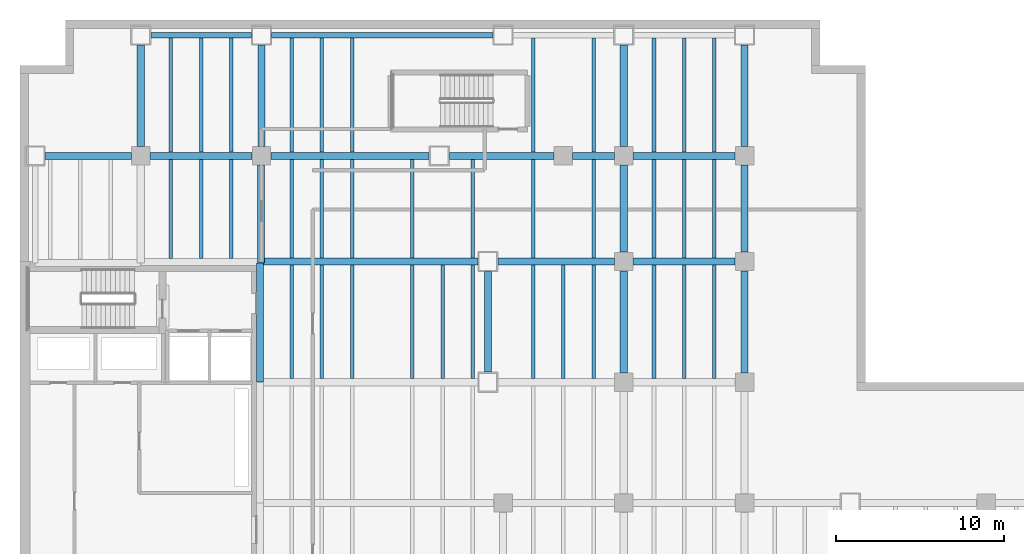
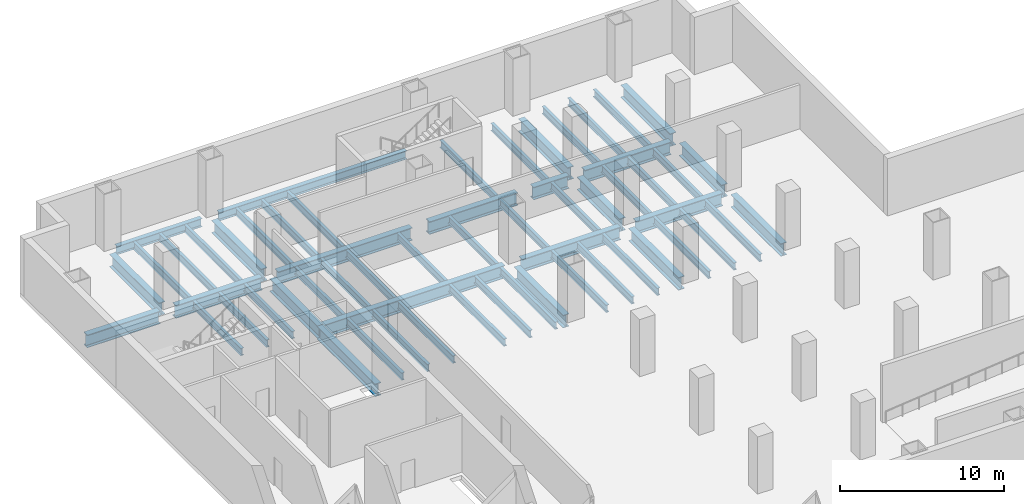
# One storey, part 3 of 11: 58 beams.
"""IFC4 building model written with IfcOpenShell, lengths in metres."""

from ifc_helpers import new_model, si_unit, direction, frame, origin, origin_2d, place, context, subcontext, project, spatial, i_section, extrude, material, material_profile, profile_set, type_object, element, save


model = new_model("IFC4")

# Units and contexts
model_context = context("Model", 3, precision=1e-05, world=origin(), true_north=direction((0.0, 1.0)))
body_context = subcontext(model_context, "Body", "Model", "MODEL_VIEW")
ifc_project = project(units=[si_unit("LENGTHUNIT", "METRE"), si_unit("AREAUNIT", "SQUARE_METRE"), si_unit("VOLUMEUNIT", "CUBIC_METRE"), si_unit("PLANEANGLEUNIT", "RADIAN"), si_unit("MASSUNIT", "GRAM", prefix="KILO")], contexts=[model_context])

# Site, building, storey
site_placement = place(None, origin())
site = spatial("IfcSite", under=ifc_project, at=site_placement, CompositionType="ELEMENT")
building_placement = place(site_placement, origin())
building = spatial("IfcBuilding", under=site, at=building_placement, Name="Cobrela Telecom Tower", CompositionType="ELEMENT")
storey_placement = place(building_placement, frame((0.0, 0.0, -4.550048828125)))
storey = spatial("IfcBuildingStorey", under=building, at=storey_placement, Name="B1", CompositionType="ELEMENT", Elevation=-4.550048828125)

# Beams
ifc_material = material(Name="Steel ASTM A992 Grade 50", Category="steel")
ifc_material_profile_1 = material_profile(ifc_material, i_section(OverallWidth=0.424072265625, OverallDepth=0.947021484375, WebThickness=0.02392578125, FlangeThickness=0.042724609375, FilletRadius=0.02392578125, at=origin_2d()), Name="W36X302")
ifc_profile_set_1 = profile_set([ifc_material_profile_1], Name="Steel ASTM A992 Grade 50")
beam_type_1 = type_object("IfcBeamType", Name="BM-GIRD-01", PredefinedType="USERDEFINED", material=ifc_profile_set_1)
beam_1_placement = place(storey_placement, frame((14.324951171875, 36.0, -0.7734375), z_axis=(1.0, 0.0, 0.0), x_axis=(0.0, 1.0, 0.0)))
element("IfcBeam", 1, at=beam_1_placement, inside=storey, type_object=beam_type_1, Name="B1 Primary Girder X42", ObjectType="GIRDER", PredefinedType="USERDEFINED", context=body_context, shape_type="SweptSolid", body=[
    extrude(i_section(OverallWidth=0.424072265625, OverallDepth=0.947021484375, WebThickness=0.02392578125, FlangeThickness=0.042724609375, FilletRadius=0.02392578125, at=origin_2d()), origin(), (0.0, 0.0, 1.0), 12.969970703125),
])
beam_2_placement = place(storey_placement, frame((28.5048828125, 36.0, -0.7734375), z_axis=(1.0, 0.0, 0.0), x_axis=(0.0, 1.0, 0.0)))
element("IfcBeam", 2, at=beam_2_placement, inside=storey, type_object=beam_type_1, Name="B1 Primary Girder X43", ObjectType="GIRDER", PredefinedType="USERDEFINED", context=body_context, shape_type="SweptSolid", body=[
    extrude(i_section(OverallWidth=0.424072265625, OverallDepth=0.947021484375, WebThickness=0.02392578125, FlangeThickness=0.042724609375, FilletRadius=0.02392578125, at=origin_2d()), origin(), (0.0, 0.0, 1.0), 6.940185546875),
])
beam_3_placement = place(storey_placement, frame((36.554931640625, 36.0, -0.7734375), z_axis=(1.0, 0.0, 0.0), x_axis=(0.0, 1.0, 0.0)))
element("IfcBeam", 3, at=beam_3_placement, inside=storey, type_object=beam_type_1, Name="B1 Primary Girder X44", ObjectType="GIRDER", PredefinedType="USERDEFINED", context=body_context, shape_type="SweptSolid", body=[
    extrude(i_section(OverallWidth=0.424072265625, OverallDepth=0.947021484375, WebThickness=0.02392578125, FlangeThickness=0.042724609375, FilletRadius=0.02392578125, at=origin_2d()), origin(), (0.0, 0.0, 1.0), 6.090087890625),
])
beam_4_placement = place(storey_placement, frame((1.5048828125, 42.300048828125, -0.7734375), z_axis=(1.0, 0.0, 0.0), x_axis=(0.0, 1.0, 0.0)))
element("IfcBeam", 4, at=beam_4_placement, inside=storey, type_object=beam_type_1, Name="B1 Primary Girder X45", ObjectType="GIRDER", PredefinedType="USERDEFINED", context=body_context, shape_type="SweptSolid", body=[
    extrude(i_section(OverallWidth=0.424072265625, OverallDepth=0.947021484375, WebThickness=0.02392578125, FlangeThickness=0.042724609375, FilletRadius=0.02392578125, at=origin_2d()), origin(), (0.0, 0.0, 1.0), 5.14013671875),
])
beam_5_placement = place(storey_placement, frame((7.7548828125, 42.300048828125, -0.7734375), z_axis=(1.0, 0.0, 0.0), x_axis=(0.0, 1.0, 0.0)))
element("IfcBeam", 5, at=beam_5_placement, inside=storey, type_object=beam_type_1, Name="B1 Primary Girder X46", ObjectType="GIRDER", PredefinedType="USERDEFINED", context=body_context, shape_type="SweptSolid", body=[
    extrude(i_section(OverallWidth=0.424072265625, OverallDepth=0.947021484375, WebThickness=0.02392578125, FlangeThickness=0.042724609375, FilletRadius=0.02392578125, at=origin_2d()), origin(), (0.0, 0.0, 1.0), 6.090087890625),
])
beam_6_placement = place(storey_placement, frame((14.955078125, 42.300048828125, -0.7734375), z_axis=(1.0, 0.0, 0.0), x_axis=(0.0, 1.0, 0.0)))
element("IfcBeam", 6, at=beam_6_placement, inside=storey, type_object=beam_type_1, Name="B1 Primary Girder X47", ObjectType="GIRDER", PredefinedType="USERDEFINED", context=body_context, shape_type="SweptSolid", body=[
    extrude(i_section(OverallWidth=0.424072265625, OverallDepth=0.947021484375, WebThickness=0.02392578125, FlangeThickness=0.042724609375, FilletRadius=0.02392578125, at=origin_2d()), origin(), (0.0, 0.0, 1.0), 9.43994140625),
])
beam_7_placement = place(storey_placement, frame((25.60498046875, 42.300048828125, -0.7734375), z_axis=(1.0, 0.0, 0.0), x_axis=(0.0, 1.0, 0.0)))
element("IfcBeam", 7, at=beam_7_placement, inside=storey, type_object=beam_type_1, Name="B1 Primary Girder X48", ObjectType="GIRDER", PredefinedType="USERDEFINED", context=body_context, shape_type="SweptSolid", body=[
    extrude(i_section(OverallWidth=0.424072265625, OverallDepth=0.947021484375, WebThickness=0.02392578125, FlangeThickness=0.042724609375, FilletRadius=0.02392578125, at=origin_2d()), origin(), (0.0, 0.0, 1.0), 6.239990234375),
])
beam_8_placement = place(storey_placement, frame((32.955078125, 42.300048828125, -0.7734375), z_axis=(1.0, 0.0, 0.0), x_axis=(0.0, 1.0, 0.0)))
element("IfcBeam", 8, at=beam_8_placement, inside=storey, type_object=beam_type_1, Name="B1 Primary Girder X49", ObjectType="GIRDER", PredefinedType="USERDEFINED", context=body_context, shape_type="SweptSolid", body=[
    extrude(i_section(OverallWidth=0.424072265625, OverallDepth=0.947021484375, WebThickness=0.02392578125, FlangeThickness=0.042724609375, FilletRadius=0.02392578125, at=origin_2d()), origin(), (0.0, 0.0, 1.0), 2.489990234375),
])
beam_9_placement = place(storey_placement, frame((36.554931640625, 42.300048828125, -0.7734375), z_axis=(1.0, 0.0, 0.0), x_axis=(0.0, 1.0, 0.0)))
element("IfcBeam", 9, at=beam_9_placement, inside=storey, type_object=beam_type_1, Name="B1 Primary Girder X50", ObjectType="GIRDER", PredefinedType="USERDEFINED", context=body_context, shape_type="SweptSolid", body=[
    extrude(i_section(OverallWidth=0.424072265625, OverallDepth=0.947021484375, WebThickness=0.02392578125, FlangeThickness=0.042724609375, FilletRadius=0.02392578125, at=origin_2d()), origin(), (0.0, 0.0, 1.0), 6.090087890625),
])
beam_10_placement = place(storey_placement, frame((7.199951171875, 42.85498046875, -0.7734375), z_axis=(0.0, 1.0, 0.0), x_axis=(-1.0, 0.0, 0.0)))
element("IfcBeam", 10, at=beam_10_placement, inside=storey, type_object=beam_type_1, Name="B1 Primary Girder Y58", ObjectType="GIRDER", PredefinedType="USERDEFINED", context=body_context, shape_type="SweptSolid", body=[
    extrude(i_section(OverallWidth=0.424072265625, OverallDepth=0.947021484375, WebThickness=0.02392578125, FlangeThickness=0.042724609375, FilletRadius=0.02392578125, at=origin_2d()), origin(), (0.0, 0.0, 1.0), 6.0400390625),
])
beam_11_placement = place(storey_placement, frame((14.320068359375, 28.804931640625, -0.7734375), z_axis=(0.0, 1.0, 0.0), x_axis=(-1.0, 0.0, 0.0)))
element("IfcBeam", 11, at=beam_11_placement, inside=storey, type_object=beam_type_1, Name="B1 Primary Girder Y63", ObjectType="GIRDER", PredefinedType="USERDEFINED", context=body_context, shape_type="SweptSolid", body=[
    extrude(i_section(OverallWidth=0.424072265625, OverallDepth=0.947021484375, WebThickness=0.02392578125, FlangeThickness=0.042724609375, FilletRadius=0.02392578125, at=origin_2d()), origin(), (0.0, 0.0, 1.0), 7.110107421875),
])
beam_12_placement = place(storey_placement, frame((14.360107421875, 35.925048828125, -0.7734375), z_axis=(0.0, 1.0, 0.0), x_axis=(-1.0, 0.0, 0.0)))
element("IfcBeam", 12, at=beam_12_placement, inside=storey, type_object=beam_type_1, Name="B1 Primary Girder Y64", ObjectType="GIRDER", PredefinedType="USERDEFINED", context=body_context, shape_type="SweptSolid", body=[
    extrude(i_section(OverallWidth=0.424072265625, OverallDepth=0.947021484375, WebThickness=0.02392578125, FlangeThickness=0.042724609375, FilletRadius=0.02392578125, at=origin_2d()), origin(), (0.0, 0.0, 1.0), 5.820068359375),
])
beam_13_placement = place(storey_placement, frame((14.39990234375, 42.85498046875, -0.7734375), z_axis=(0.0, 1.0, 0.0), x_axis=(-1.0, 0.0, 0.0)))
element("IfcBeam", 13, at=beam_13_placement, inside=storey, type_object=beam_type_1, Name="B1 Primary Girder Y65", ObjectType="GIRDER", PredefinedType="USERDEFINED", context=body_context, shape_type="SweptSolid", body=[
    extrude(i_section(OverallWidth=0.424072265625, OverallDepth=0.947021484375, WebThickness=0.02392578125, FlangeThickness=0.042724609375, FilletRadius=0.02392578125, at=origin_2d()), origin(), (0.0, 0.0, 1.0), 6.0400390625),
])
beam_14_placement = place(storey_placement, frame((27.89990234375, 29.405029296875, -0.7734375), z_axis=(0.0, 1.0, 0.0), x_axis=(-1.0, 0.0, 0.0)))
element("IfcBeam", 14, at=beam_14_placement, inside=storey, type_object=beam_type_1, Name="B1 Primary Girder Y66", ObjectType="GIRDER", PredefinedType="USERDEFINED", context=body_context, shape_type="SweptSolid", body=[
    extrude(i_section(OverallWidth=0.424072265625, OverallDepth=0.947021484375, WebThickness=0.02392578125, FlangeThickness=0.042724609375, FilletRadius=0.02392578125, at=origin_2d()), origin(), (0.0, 0.0, 1.0), 5.989990234375),
])
beam_15_placement = place(storey_placement, frame((36.0, 29.35498046875, -0.7734375), z_axis=(0.0, 1.0, 0.0), x_axis=(-1.0, 0.0, 0.0)))
element("IfcBeam", 15, at=beam_15_placement, inside=storey, type_object=beam_type_1, Name="B1 Primary Girder Y74", ObjectType="GIRDER", PredefinedType="USERDEFINED", context=body_context, shape_type="SweptSolid", body=[
    extrude(i_section(OverallWidth=0.424072265625, OverallDepth=0.947021484375, WebThickness=0.02392578125, FlangeThickness=0.042724609375, FilletRadius=0.02392578125, at=origin_2d()), origin(), (0.0, 0.0, 1.0), 6.090087890625),
])
beam_16_placement = place(storey_placement, frame((36.0, 36.554931640625, -0.7734375), z_axis=(0.0, 1.0, 0.0), x_axis=(-1.0, 0.0, 0.0)))
element("IfcBeam", 16, at=beam_16_placement, inside=storey, type_object=beam_type_1, Name="B1 Primary Girder Y75", ObjectType="GIRDER", PredefinedType="USERDEFINED", context=body_context, shape_type="SweptSolid", body=[
    extrude(i_section(OverallWidth=0.424072265625, OverallDepth=0.947021484375, WebThickness=0.02392578125, FlangeThickness=0.042724609375, FilletRadius=0.02392578125, at=origin_2d()), origin(), (0.0, 0.0, 1.0), 5.190185546875),
])
beam_17_placement = place(storey_placement, frame((36.0, 42.85498046875, -0.7734375), z_axis=(0.0, 1.0, 0.0), x_axis=(-1.0, 0.0, 0.0)))
element("IfcBeam", 17, at=beam_17_placement, inside=storey, type_object=beam_type_1, Name="B1 Primary Girder Y76", ObjectType="GIRDER", PredefinedType="USERDEFINED", context=body_context, shape_type="SweptSolid", body=[
    extrude(i_section(OverallWidth=0.424072265625, OverallDepth=0.947021484375, WebThickness=0.02392578125, FlangeThickness=0.042724609375, FilletRadius=0.02392578125, at=origin_2d()), origin(), (0.0, 0.0, 1.0), 6.0400390625),
])
beam_18_placement = place(storey_placement, frame((43.199951171875, 29.35498046875, -0.7734375), z_axis=(0.0, 1.0, 0.0), x_axis=(-1.0, 0.0, 0.0)))
element("IfcBeam", 18, at=beam_18_placement, inside=storey, type_object=beam_type_1, Name="B1 Primary Girder Y81", ObjectType="GIRDER", PredefinedType="USERDEFINED", context=body_context, shape_type="SweptSolid", body=[
    extrude(i_section(OverallWidth=0.424072265625, OverallDepth=0.947021484375, WebThickness=0.02392578125, FlangeThickness=0.042724609375, FilletRadius=0.02392578125, at=origin_2d()), origin(), (0.0, 0.0, 1.0), 6.090087890625),
])
beam_19_placement = place(storey_placement, frame((43.199951171875, 36.554931640625, -0.7734375), z_axis=(0.0, 1.0, 0.0), x_axis=(-1.0, 0.0, 0.0)))
element("IfcBeam", 19, at=beam_19_placement, inside=storey, type_object=beam_type_1, Name="B1 Primary Girder Y82", ObjectType="GIRDER", PredefinedType="USERDEFINED", context=body_context, shape_type="SweptSolid", body=[
    extrude(i_section(OverallWidth=0.424072265625, OverallDepth=0.947021484375, WebThickness=0.02392578125, FlangeThickness=0.042724609375, FilletRadius=0.02392578125, at=origin_2d()), origin(), (0.0, 0.0, 1.0), 5.190185546875),
])
beam_20_placement = place(storey_placement, frame((43.199951171875, 42.85498046875, -0.7734375), z_axis=(0.0, 1.0, 0.0), x_axis=(-1.0, 0.0, 0.0)))
element("IfcBeam", 20, at=beam_20_placement, inside=storey, type_object=beam_type_1, Name="B1 Primary Girder Y83", ObjectType="GIRDER", PredefinedType="USERDEFINED", context=body_context, shape_type="SweptSolid", body=[
    extrude(i_section(OverallWidth=0.424072265625, OverallDepth=0.947021484375, WebThickness=0.02392578125, FlangeThickness=0.042724609375, FilletRadius=0.02392578125, at=origin_2d()), origin(), (0.0, 0.0, 1.0), 6.0400390625),
])
ifc_material_profile_2 = material_profile(ifc_material, i_section(OverallWidth=0.212890625, OverallDepth=0.549072265625, WebThickness=0.0146484375, FlangeThickness=0.023681640625, FilletRadius=0.013916015625, at=origin_2d()), Name="W21X93")
ifc_profile_set_2 = profile_set([ifc_material_profile_2], Name="Steel ASTM A992 Grade 50")
beam_type_2 = type_object("IfcBeamType", Name="BM-JOIST-01", PredefinedType="JOIST", material=ifc_profile_set_2)
beam_21_placement = place(storey_placement, frame((9.0, 36.177001953125, -0.574462890625), z_axis=(0.0, 1.0, 0.0), x_axis=(-1.0, 0.0, 0.0)))
element("IfcBeam", 21, at=beam_21_placement, inside=storey, type_object=beam_type_2, Name="B1 Secondary Composite Floor Beam J05", PredefinedType="JOIST", context=body_context, shape_type="SweptSolid", body=[
    extrude(i_section(OverallWidth=0.212890625, OverallDepth=0.549072265625, WebThickness=0.0146484375, FlangeThickness=0.023681640625, FilletRadius=0.013916015625, at=origin_2d()), origin(), (0.0, 0.0, 1.0), 5.906005859375),
])
beam_22_placement = place(storey_placement, frame((9.0, 42.51708984375, -0.574462890625), z_axis=(0.0, 1.0, 0.0), x_axis=(-1.0, 0.0, 0.0)))
element("IfcBeam", 22, at=beam_22_placement, inside=storey, type_object=beam_type_2, Name="B1 Secondary Composite Floor Beam J06", PredefinedType="JOIST", context=body_context, shape_type="SweptSolid", body=[
    extrude(i_section(OverallWidth=0.212890625, OverallDepth=0.549072265625, WebThickness=0.0146484375, FlangeThickness=0.023681640625, FilletRadius=0.013916015625, at=origin_2d()), origin(), (0.0, 0.0, 1.0), 6.81396484375),
])
beam_23_placement = place(storey_placement, frame((10.800048828125, 36.177001953125, -0.574462890625), z_axis=(0.0, 1.0, 0.0), x_axis=(-1.0, 0.0, 0.0)))
element("IfcBeam", 23, at=beam_23_placement, inside=storey, type_object=beam_type_2, Name="B1 Secondary Composite Floor Beam J08", PredefinedType="JOIST", context=body_context, shape_type="SweptSolid", body=[
    extrude(i_section(OverallWidth=0.212890625, OverallDepth=0.549072265625, WebThickness=0.0146484375, FlangeThickness=0.023681640625, FilletRadius=0.013916015625, at=origin_2d()), origin(), (0.0, 0.0, 1.0), 5.906005859375),
])
beam_24_placement = place(storey_placement, frame((10.800048828125, 42.51708984375, -0.574462890625), z_axis=(0.0, 1.0, 0.0), x_axis=(-1.0, 0.0, 0.0)))
element("IfcBeam", 24, at=beam_24_placement, inside=storey, type_object=beam_type_2, Name="B1 Secondary Composite Floor Beam J09", PredefinedType="JOIST", context=body_context, shape_type="SweptSolid", body=[
    extrude(i_section(OverallWidth=0.212890625, OverallDepth=0.549072265625, WebThickness=0.0146484375, FlangeThickness=0.023681640625, FilletRadius=0.013916015625, at=origin_2d()), origin(), (0.0, 0.0, 1.0), 6.81396484375),
])
beam_25_placement = place(storey_placement, frame((12.60009765625, 36.177001953125, -0.574462890625), z_axis=(0.0, 1.0, 0.0), x_axis=(-1.0, 0.0, 0.0)))
element("IfcBeam", 25, at=beam_25_placement, inside=storey, type_object=beam_type_2, Name="B1 Secondary Composite Floor Beam J11", PredefinedType="JOIST", context=body_context, shape_type="SweptSolid", body=[
    extrude(i_section(OverallWidth=0.212890625, OverallDepth=0.549072265625, WebThickness=0.0146484375, FlangeThickness=0.023681640625, FilletRadius=0.013916015625, at=origin_2d()), origin(), (0.0, 0.0, 1.0), 5.906005859375),
])
beam_26_placement = place(storey_placement, frame((12.60009765625, 42.51708984375, -0.574462890625), z_axis=(0.0, 1.0, 0.0), x_axis=(-1.0, 0.0, 0.0)))
element("IfcBeam", 26, at=beam_26_placement, inside=storey, type_object=beam_type_2, Name="B1 Secondary Composite Floor Beam J12", PredefinedType="JOIST", context=body_context, shape_type="SweptSolid", body=[
    extrude(i_section(OverallWidth=0.212890625, OverallDepth=0.549072265625, WebThickness=0.0146484375, FlangeThickness=0.023681640625, FilletRadius=0.013916015625, at=origin_2d()), origin(), (0.0, 0.0, 1.0), 6.81396484375),
])
beam_27_placement = place(storey_placement, frame((16.199951171875, 29.01708984375, -0.574462890625), z_axis=(0.0, 1.0, 0.0), x_axis=(-1.0, 0.0, 0.0)))
element("IfcBeam", 27, at=beam_27_placement, inside=storey, type_object=beam_type_2, Name="B1 Secondary Composite Floor Beam J17", PredefinedType="JOIST", context=body_context, shape_type="SweptSolid", body=[
    extrude(i_section(OverallWidth=0.212890625, OverallDepth=0.549072265625, WebThickness=0.0146484375, FlangeThickness=0.023681640625, FilletRadius=0.013916015625, at=origin_2d()), origin(), (0.0, 0.0, 1.0), 6.765869140625),
])
beam_28_placement = place(storey_placement, frame((16.199951171875, 36.217041015625, -0.574462890625), z_axis=(0.0, 1.0, 0.0), x_axis=(-1.0, 0.0, 0.0)))
element("IfcBeam", 28, at=beam_28_placement, inside=storey, type_object=beam_type_2, Name="B1 Secondary Composite Floor Beam J18", PredefinedType="JOIST", context=body_context, shape_type="SweptSolid", body=[
    extrude(i_section(OverallWidth=0.212890625, OverallDepth=0.549072265625, WebThickness=0.0146484375, FlangeThickness=0.023681640625, FilletRadius=0.013916015625, at=origin_2d()), origin(), (0.0, 0.0, 1.0), 5.865966796875),
])
beam_29_placement = place(storey_placement, frame((16.199951171875, 42.51708984375, -0.574462890625), z_axis=(0.0, 1.0, 0.0), x_axis=(-1.0, 0.0, 0.0)))
element("IfcBeam", 29, at=beam_29_placement, inside=storey, type_object=beam_type_2, Name="B1 Secondary Composite Floor Beam J19", PredefinedType="JOIST", context=body_context, shape_type="SweptSolid", body=[
    extrude(i_section(OverallWidth=0.212890625, OverallDepth=0.549072265625, WebThickness=0.0146484375, FlangeThickness=0.023681640625, FilletRadius=0.013916015625, at=origin_2d()), origin(), (0.0, 0.0, 1.0), 6.81396484375),
])
beam_30_placement = place(storey_placement, frame((18.0, 29.01708984375, -0.574462890625), z_axis=(0.0, 1.0, 0.0), x_axis=(-1.0, 0.0, 0.0)))
element("IfcBeam", 30, at=beam_30_placement, inside=storey, type_object=beam_type_2, Name="B1 Secondary Composite Floor Beam J24", PredefinedType="JOIST", context=body_context, shape_type="SweptSolid", body=[
    extrude(i_section(OverallWidth=0.212890625, OverallDepth=0.549072265625, WebThickness=0.0146484375, FlangeThickness=0.023681640625, FilletRadius=0.013916015625, at=origin_2d()), origin(), (0.0, 0.0, 1.0), 6.765869140625),
])
beam_31_placement = place(storey_placement, frame((18.0, 36.217041015625, -0.574462890625), z_axis=(0.0, 1.0, 0.0), x_axis=(-1.0, 0.0, 0.0)))
element("IfcBeam", 31, at=beam_31_placement, inside=storey, type_object=beam_type_2, Name="B1 Secondary Composite Floor Beam J25", PredefinedType="JOIST", context=body_context, shape_type="SweptSolid", body=[
    extrude(i_section(OverallWidth=0.212890625, OverallDepth=0.549072265625, WebThickness=0.0146484375, FlangeThickness=0.023681640625, FilletRadius=0.013916015625, at=origin_2d()), origin(), (0.0, 0.0, 1.0), 5.865966796875),
])
beam_32_placement = place(storey_placement, frame((18.0, 42.51708984375, -0.574462890625), z_axis=(0.0, 1.0, 0.0), x_axis=(-1.0, 0.0, 0.0)))
element("IfcBeam", 32, at=beam_32_placement, inside=storey, type_object=beam_type_2, Name="B1 Secondary Composite Floor Beam J26", PredefinedType="JOIST", context=body_context, shape_type="SweptSolid", body=[
    extrude(i_section(OverallWidth=0.212890625, OverallDepth=0.549072265625, WebThickness=0.0146484375, FlangeThickness=0.023681640625, FilletRadius=0.013916015625, at=origin_2d()), origin(), (0.0, 0.0, 1.0), 6.81396484375),
])
beam_33_placement = place(storey_placement, frame((19.800048828125, 29.01708984375, -0.574462890625), z_axis=(0.0, 1.0, 0.0), x_axis=(-1.0, 0.0, 0.0)))
element("IfcBeam", 33, at=beam_33_placement, inside=storey, type_object=beam_type_2, Name="B1 Secondary Composite Floor Beam J31", PredefinedType="JOIST", context=body_context, shape_type="SweptSolid", body=[
    extrude(i_section(OverallWidth=0.212890625, OverallDepth=0.549072265625, WebThickness=0.0146484375, FlangeThickness=0.023681640625, FilletRadius=0.013916015625, at=origin_2d()), origin(), (0.0, 0.0, 1.0), 6.765869140625),
])
beam_34_placement = place(storey_placement, frame((19.800048828125, 36.217041015625, -0.574462890625), z_axis=(0.0, 1.0, 0.0), x_axis=(-1.0, 0.0, 0.0)))
element("IfcBeam", 34, at=beam_34_placement, inside=storey, type_object=beam_type_2, Name="B1 Secondary Composite Floor Beam J32", PredefinedType="JOIST", context=body_context, shape_type="SweptSolid", body=[
    extrude(i_section(OverallWidth=0.212890625, OverallDepth=0.549072265625, WebThickness=0.0146484375, FlangeThickness=0.023681640625, FilletRadius=0.013916015625, at=origin_2d()), origin(), (0.0, 0.0, 1.0), 5.865966796875),
])
beam_35_placement = place(storey_placement, frame((19.800048828125, 42.51708984375, -0.574462890625), z_axis=(0.0, 1.0, 0.0), x_axis=(-1.0, 0.0, 0.0)))
element("IfcBeam", 35, at=beam_35_placement, inside=storey, type_object=beam_type_2, Name="B1 Secondary Composite Floor Beam J33", PredefinedType="JOIST", context=body_context, shape_type="SweptSolid", body=[
    extrude(i_section(OverallWidth=0.212890625, OverallDepth=0.549072265625, WebThickness=0.0146484375, FlangeThickness=0.023681640625, FilletRadius=0.013916015625, at=origin_2d()), origin(), (0.0, 0.0, 1.0), 6.81396484375),
])
beam_36_placement = place(storey_placement, frame((23.39990234375, 29.01708984375, -0.574462890625), z_axis=(0.0, 1.0, 0.0), x_axis=(-1.0, 0.0, 0.0)))
element("IfcBeam", 36, at=beam_36_placement, inside=storey, type_object=beam_type_2, Name="B1 Secondary Composite Floor Beam J38", PredefinedType="JOIST", context=body_context, shape_type="SweptSolid", body=[
    extrude(i_section(OverallWidth=0.212890625, OverallDepth=0.549072265625, WebThickness=0.0146484375, FlangeThickness=0.023681640625, FilletRadius=0.013916015625, at=origin_2d()), origin(), (0.0, 0.0, 1.0), 6.765869140625),
])
beam_37_placement = place(storey_placement, frame((23.39990234375, 36.217041015625, -0.574462890625), z_axis=(0.0, 1.0, 0.0), x_axis=(-1.0, 0.0, 0.0)))
element("IfcBeam", 37, at=beam_37_placement, inside=storey, type_object=beam_type_2, Name="B1 Secondary Composite Floor Beam J39", PredefinedType="JOIST", context=body_context, shape_type="SweptSolid", body=[
    extrude(i_section(OverallWidth=0.212890625, OverallDepth=0.549072265625, WebThickness=0.0146484375, FlangeThickness=0.023681640625, FilletRadius=0.013916015625, at=origin_2d()), origin(), (0.0, 0.0, 1.0), 5.865966796875),
])
for number, where, z_axis, x_axis, name in (
    (38, (25.199951171875, 29.01708984375, -0.574462890625), (0.0, 1.0, 0.0), (-1.0, 0.0, 0.0), "B1 Secondary Composite Floor Beam J44"),
    (39, (27.0, 29.01708984375, -0.574462890625), (0.0, 1.0, 0.0), (-1.0, 0.0, 0.0), "B1 Secondary Composite Floor Beam J49"),
):
    element("IfcBeam", number, at=place(storey_placement, frame(where, z_axis=z_axis, x_axis=x_axis)), inside=storey, type_object=beam_type_2, Name=name, PredefinedType="JOIST", context=body_context, shape_type="SweptSolid", body=[
        extrude(i_section(OverallWidth=0.212890625, OverallDepth=0.549072265625, WebThickness=0.0146484375, FlangeThickness=0.023681640625, FilletRadius=0.013916015625, at=origin_2d()), origin(), (0.0, 0.0, 1.0), 6.765869140625),
    ])
beam_38_placement = place(storey_placement, frame((27.0, 36.217041015625, -0.574462890625), z_axis=(0.0, 1.0, 0.0), x_axis=(-1.0, 0.0, 0.0)))
element("IfcBeam", 40, at=beam_38_placement, inside=storey, type_object=beam_type_2, Name="B1 Secondary Composite Floor Beam J50", PredefinedType="JOIST", context=body_context, shape_type="SweptSolid", body=[
    extrude(i_section(OverallWidth=0.212890625, OverallDepth=0.549072265625, WebThickness=0.0146484375, FlangeThickness=0.023681640625, FilletRadius=0.013916015625, at=origin_2d()), origin(), (0.0, 0.0, 1.0), 5.865966796875),
])
beam_39_placement = place(storey_placement, frame((30.60009765625, 29.01708984375, -0.574462890625), z_axis=(0.0, 1.0, 0.0), x_axis=(-1.0, 0.0, 0.0)))
element("IfcBeam", 41, at=beam_39_placement, inside=storey, type_object=beam_type_2, Name="B1 Secondary Composite Floor Beam J55", PredefinedType="JOIST", context=body_context, shape_type="SweptSolid", body=[
    extrude(i_section(OverallWidth=0.212890625, OverallDepth=0.549072265625, WebThickness=0.0146484375, FlangeThickness=0.023681640625, FilletRadius=0.013916015625, at=origin_2d()), origin(), (0.0, 0.0, 1.0), 6.765869140625),
])
beam_40_placement = place(storey_placement, frame((30.60009765625, 36.217041015625, -0.574462890625), z_axis=(0.0, 1.0, 0.0), x_axis=(-1.0, 0.0, 0.0)))
element("IfcBeam", 42, at=beam_40_placement, inside=storey, type_object=beam_type_2, Name="B1 Secondary Composite Floor Beam J56", PredefinedType="JOIST", context=body_context, shape_type="SweptSolid", body=[
    extrude(i_section(OverallWidth=0.212890625, OverallDepth=0.549072265625, WebThickness=0.0146484375, FlangeThickness=0.023681640625, FilletRadius=0.013916015625, at=origin_2d()), origin(), (0.0, 0.0, 1.0), 5.865966796875),
])
beam_41_placement = place(storey_placement, frame((30.60009765625, 42.51708984375, -0.574462890625), z_axis=(0.0, 1.0, 0.0), x_axis=(-1.0, 0.0, 0.0)))
element("IfcBeam", 43, at=beam_41_placement, inside=storey, type_object=beam_type_2, Name="B1 Secondary Composite Floor Beam J57", PredefinedType="JOIST", context=body_context, shape_type="SweptSolid", body=[
    extrude(i_section(OverallWidth=0.212890625, OverallDepth=0.549072265625, WebThickness=0.0146484375, FlangeThickness=0.023681640625, FilletRadius=0.013916015625, at=origin_2d()), origin(), (0.0, 0.0, 1.0), 6.81396484375),
])
for number, where, z_axis, x_axis, name in (
    (44, (32.39990234375, 29.01708984375, -0.574462890625), (0.0, 1.0, 0.0), (-1.0, 0.0, 0.0), "B1 Secondary Composite Floor Beam J62"),
    (45, (34.199951171875, 29.01708984375, -0.574462890625), (0.0, 1.0, 0.0), (-1.0, 0.0, 0.0), "B1 Secondary Composite Floor Beam J67"),
):
    element("IfcBeam", number, at=place(storey_placement, frame(where, z_axis=z_axis, x_axis=x_axis)), inside=storey, type_object=beam_type_2, Name=name, PredefinedType="JOIST", context=body_context, shape_type="SweptSolid", body=[
        extrude(i_section(OverallWidth=0.212890625, OverallDepth=0.549072265625, WebThickness=0.0146484375, FlangeThickness=0.023681640625, FilletRadius=0.013916015625, at=origin_2d()), origin(), (0.0, 0.0, 1.0), 6.765869140625),
    ])
beam_42_placement = place(storey_placement, frame((34.199951171875, 36.217041015625, -0.574462890625), z_axis=(0.0, 1.0, 0.0), x_axis=(-1.0, 0.0, 0.0)))
element("IfcBeam", 46, at=beam_42_placement, inside=storey, type_object=beam_type_2, Name="B1 Secondary Composite Floor Beam J68", PredefinedType="JOIST", context=body_context, shape_type="SweptSolid", body=[
    extrude(i_section(OverallWidth=0.212890625, OverallDepth=0.549072265625, WebThickness=0.0146484375, FlangeThickness=0.023681640625, FilletRadius=0.013916015625, at=origin_2d()), origin(), (0.0, 0.0, 1.0), 5.865966796875),
])
beam_43_placement = place(storey_placement, frame((34.199951171875, 42.51708984375, -0.574462890625), z_axis=(0.0, 1.0, 0.0), x_axis=(-1.0, 0.0, 0.0)))
element("IfcBeam", 47, at=beam_43_placement, inside=storey, type_object=beam_type_2, Name="B1 Secondary Composite Floor Beam J69", PredefinedType="JOIST", context=body_context, shape_type="SweptSolid", body=[
    extrude(i_section(OverallWidth=0.212890625, OverallDepth=0.549072265625, WebThickness=0.0146484375, FlangeThickness=0.023681640625, FilletRadius=0.013916015625, at=origin_2d()), origin(), (0.0, 0.0, 1.0), 6.81396484375),
])
beam_44_placement = place(storey_placement, frame((37.800048828125, 29.01708984375, -0.574462890625), z_axis=(0.0, 1.0, 0.0), x_axis=(-1.0, 0.0, 0.0)))
element("IfcBeam", 48, at=beam_44_placement, inside=storey, type_object=beam_type_2, Name="B1 Secondary Composite Floor Beam J73", PredefinedType="JOIST", context=body_context, shape_type="SweptSolid", body=[
    extrude(i_section(OverallWidth=0.212890625, OverallDepth=0.549072265625, WebThickness=0.0146484375, FlangeThickness=0.023681640625, FilletRadius=0.013916015625, at=origin_2d()), origin(), (0.0, 0.0, 1.0), 6.765869140625),
])
beam_45_placement = place(storey_placement, frame((37.800048828125, 36.217041015625, -0.574462890625), z_axis=(0.0, 1.0, 0.0), x_axis=(-1.0, 0.0, 0.0)))
element("IfcBeam", 49, at=beam_45_placement, inside=storey, type_object=beam_type_2, Name="B1 Secondary Composite Floor Beam J74", PredefinedType="JOIST", context=body_context, shape_type="SweptSolid", body=[
    extrude(i_section(OverallWidth=0.212890625, OverallDepth=0.549072265625, WebThickness=0.0146484375, FlangeThickness=0.023681640625, FilletRadius=0.013916015625, at=origin_2d()), origin(), (0.0, 0.0, 1.0), 5.865966796875),
])
beam_46_placement = place(storey_placement, frame((37.800048828125, 42.51708984375, -0.574462890625), z_axis=(0.0, 1.0, 0.0), x_axis=(-1.0, 0.0, 0.0)))
element("IfcBeam", 50, at=beam_46_placement, inside=storey, type_object=beam_type_2, Name="B1 Secondary Composite Floor Beam J75", PredefinedType="JOIST", context=body_context, shape_type="SweptSolid", body=[
    extrude(i_section(OverallWidth=0.212890625, OverallDepth=0.549072265625, WebThickness=0.0146484375, FlangeThickness=0.023681640625, FilletRadius=0.013916015625, at=origin_2d()), origin(), (0.0, 0.0, 1.0), 6.81396484375),
])
beam_47_placement = place(storey_placement, frame((39.60009765625, 29.01708984375, -0.574462890625), z_axis=(0.0, 1.0, 0.0), x_axis=(-1.0, 0.0, 0.0)))
element("IfcBeam", 51, at=beam_47_placement, inside=storey, type_object=beam_type_2, Name="B1 Secondary Composite Floor Beam J78", PredefinedType="JOIST", context=body_context, shape_type="SweptSolid", body=[
    extrude(i_section(OverallWidth=0.212890625, OverallDepth=0.549072265625, WebThickness=0.0146484375, FlangeThickness=0.023681640625, FilletRadius=0.013916015625, at=origin_2d()), origin(), (0.0, 0.0, 1.0), 6.765869140625),
])
beam_48_placement = place(storey_placement, frame((39.60009765625, 36.217041015625, -0.574462890625), z_axis=(0.0, 1.0, 0.0), x_axis=(-1.0, 0.0, 0.0)))
element("IfcBeam", 52, at=beam_48_placement, inside=storey, type_object=beam_type_2, Name="B1 Secondary Composite Floor Beam J79", PredefinedType="JOIST", context=body_context, shape_type="SweptSolid", body=[
    extrude(i_section(OverallWidth=0.212890625, OverallDepth=0.549072265625, WebThickness=0.0146484375, FlangeThickness=0.023681640625, FilletRadius=0.013916015625, at=origin_2d()), origin(), (0.0, 0.0, 1.0), 5.865966796875),
])
beam_49_placement = place(storey_placement, frame((39.60009765625, 42.51708984375, -0.574462890625), z_axis=(0.0, 1.0, 0.0), x_axis=(-1.0, 0.0, 0.0)))
element("IfcBeam", 53, at=beam_49_placement, inside=storey, type_object=beam_type_2, Name="B1 Secondary Composite Floor Beam J80", PredefinedType="JOIST", context=body_context, shape_type="SweptSolid", body=[
    extrude(i_section(OverallWidth=0.212890625, OverallDepth=0.549072265625, WebThickness=0.0146484375, FlangeThickness=0.023681640625, FilletRadius=0.013916015625, at=origin_2d()), origin(), (0.0, 0.0, 1.0), 6.81396484375),
])
beam_50_placement = place(storey_placement, frame((41.39990234375, 29.01708984375, -0.574462890625), z_axis=(0.0, 1.0, 0.0), x_axis=(-1.0, 0.0, 0.0)))
element("IfcBeam", 54, at=beam_50_placement, inside=storey, type_object=beam_type_2, Name="B1 Secondary Composite Floor Beam J83", PredefinedType="JOIST", context=body_context, shape_type="SweptSolid", body=[
    extrude(i_section(OverallWidth=0.212890625, OverallDepth=0.549072265625, WebThickness=0.0146484375, FlangeThickness=0.023681640625, FilletRadius=0.013916015625, at=origin_2d()), origin(), (0.0, 0.0, 1.0), 6.765869140625),
])
beam_51_placement = place(storey_placement, frame((41.39990234375, 36.217041015625, -0.574462890625), z_axis=(0.0, 1.0, 0.0), x_axis=(-1.0, 0.0, 0.0)))
element("IfcBeam", 55, at=beam_51_placement, inside=storey, type_object=beam_type_2, Name="B1 Secondary Composite Floor Beam J84", PredefinedType="JOIST", context=body_context, shape_type="SweptSolid", body=[
    extrude(i_section(OverallWidth=0.212890625, OverallDepth=0.549072265625, WebThickness=0.0146484375, FlangeThickness=0.023681640625, FilletRadius=0.013916015625, at=origin_2d()), origin(), (0.0, 0.0, 1.0), 5.865966796875),
])
beam_52_placement = place(storey_placement, frame((41.39990234375, 42.51708984375, -0.574462890625), z_axis=(0.0, 1.0, 0.0), x_axis=(-1.0, 0.0, 0.0)))
element("IfcBeam", 56, at=beam_52_placement, inside=storey, type_object=beam_type_2, Name="B1 Secondary Composite Floor Beam J85", PredefinedType="JOIST", context=body_context, shape_type="SweptSolid", body=[
    extrude(i_section(OverallWidth=0.212890625, OverallDepth=0.549072265625, WebThickness=0.0146484375, FlangeThickness=0.023681640625, FilletRadius=0.013916015625, at=origin_2d()), origin(), (0.0, 0.0, 1.0), 6.81396484375),
])
ifc_material_profile_3 = material_profile(ifc_material, i_section(OverallWidth=0.327880859375, OverallDepth=0.6220703125, WebThickness=0.015380859375, FlangeThickness=0.0244140625, FilletRadius=0.014892578125, at=origin_2d()), Name="W24X131")
ifc_profile_set_3 = profile_set([ifc_material_profile_3], Name="Steel ASTM A992 Grade 50")
beam_type_3 = type_object("IfcBeamType", Name="BM-SPAND-01", PredefinedType="SPANDREL", material=ifc_profile_set_3)
beam_53_placement = place(storey_placement, frame((7.804931640625, 49.5, -0.61083984375), z_axis=(1.0, 0.0, 0.0), x_axis=(0.0, 1.0, 0.0)))
element("IfcBeam", 57, at=beam_53_placement, inside=storey, type_object=beam_type_3, Name="B1 Perimeter Spandrel X51", PredefinedType="SPANDREL", context=body_context, shape_type="SweptSolid", body=[
    extrude(i_section(OverallWidth=0.327880859375, OverallDepth=0.6220703125, WebThickness=0.015380859375, FlangeThickness=0.0244140625, FilletRadius=0.014892578125, at=origin_2d()), origin(), (0.0, 0.0, 1.0), 5.989990234375),
])
beam_54_placement = place(storey_placement, frame((15.0048828125, 49.5, -0.61083984375), z_axis=(1.0, 0.0, 0.0), x_axis=(0.0, 1.0, 0.0)))
element("IfcBeam", 58, at=beam_54_placement, inside=storey, type_object=beam_type_3, Name="B1 Perimeter Spandrel X52", PredefinedType="SPANDREL", context=body_context, shape_type="SweptSolid", body=[
    extrude(i_section(OverallWidth=0.327880859375, OverallDepth=0.6220703125, WebThickness=0.015380859375, FlangeThickness=0.0244140625, FilletRadius=0.014892578125, at=origin_2d()), origin(), (0.0, 0.0, 1.0), 13.190185546875),
])

save(model, "model.ifc")
